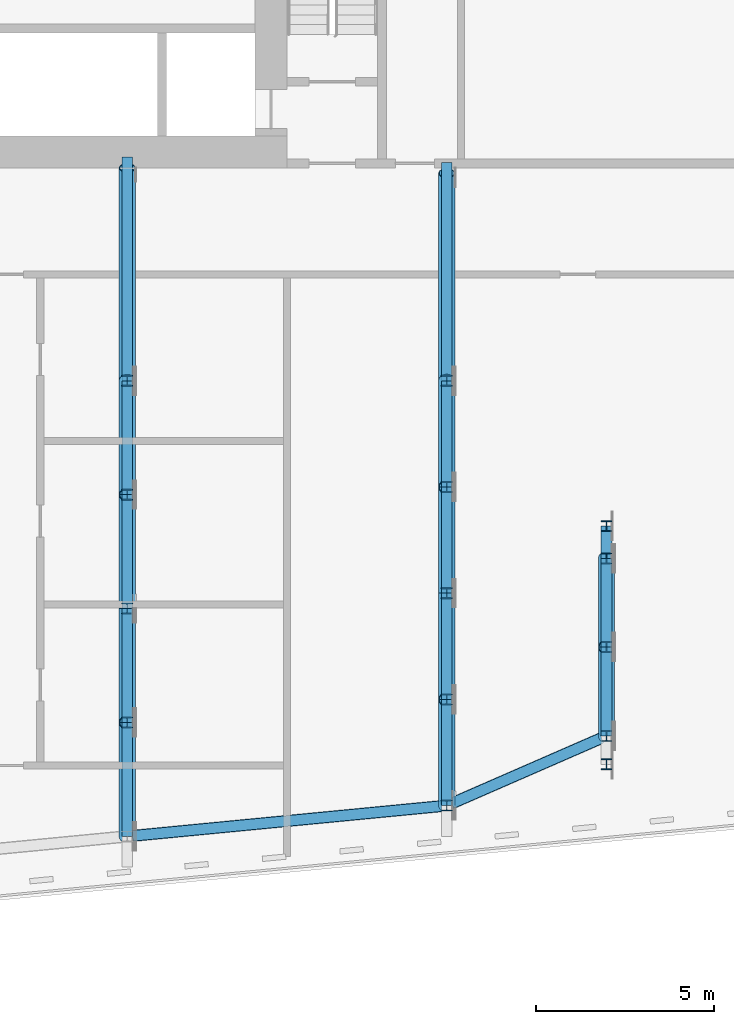
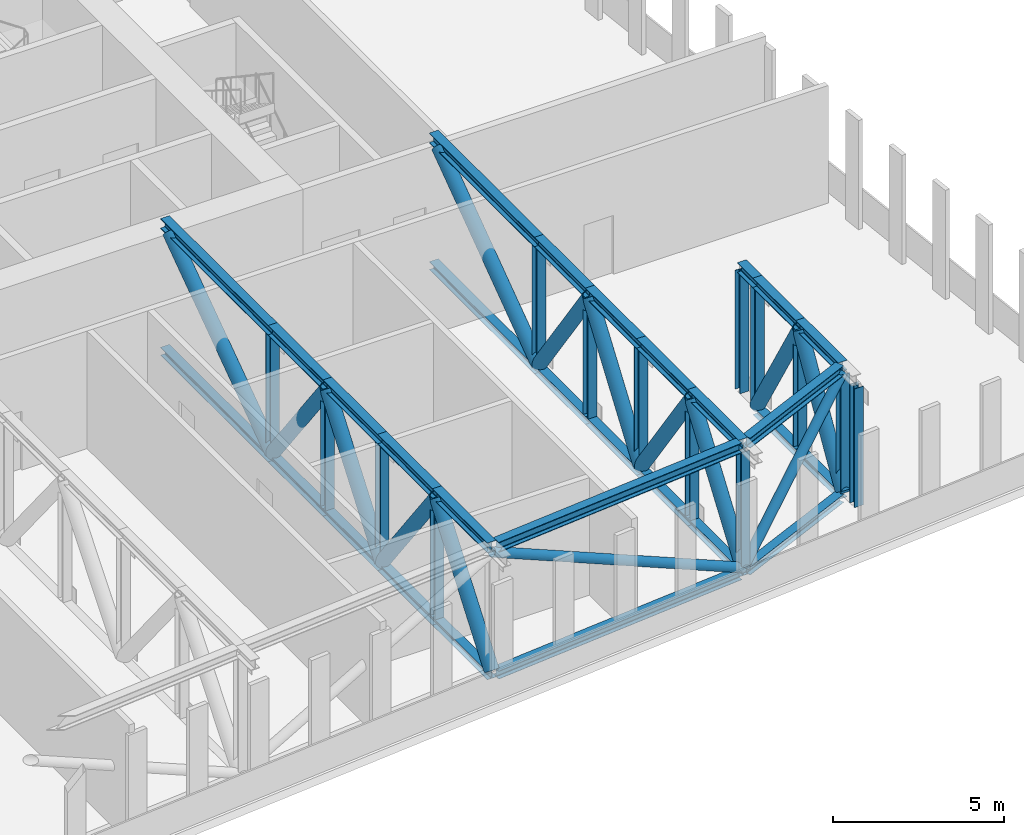
# One storey, part 6 of 22: 57 members.
"""IFC4 building model written with IfcOpenShell, lengths in metres."""

import ifcopenshell
import ifcopenshell.guid

model = None  # the IFC model being written
_history = None  # IfcOwnerHistory: only IFC2X3 demands one
_inside = {}  # id of a spatial element -> (the spatial element, [elements in it])
_under = {}  # id of a project, library or spatial element -> (it, [spatial elements below it])
_declared = {}  # id of a project -> (the project, [libraries it declares])
_typed = {}  # id of a type object -> (the type object, [elements of that type])
_made_of = {}  # id of a material, layer set ... -> (it, [elements and type objects made of it])


def new_model(schema):
    """Start an empty IFC model of exactly this schema.

    Asked for "IFC4X3", IfcOpenShell would pick the latest addendum, in which some entities
    have other attributes; the version numbers below select the first issue.
    IFC2X3 requires an IfcOwnerHistory on every rooted entity: one is made here for all.
    """
    global model, _history
    if schema == "IFC4X3":
        model = ifcopenshell.file(schema_version=(4, 3, 0, 0))
    else:
        model = ifcopenshell.file(schema=schema)
    _inside.clear()
    _under.clear()
    _declared.clear()
    _typed.clear()
    _made_of.clear()
    _history = None
    if model.schema == "IFC2X3":
        org = make("IfcOrganization", Name="unknown")
        user = make(
            "IfcPersonAndOrganization",
            ThePerson=make("IfcPerson", FamilyName="unknown"),
            TheOrganization=org,
        )
        app = make(
            "IfcApplication",
            ApplicationDeveloper=org,
            Version="unknown",
            ApplicationFullName="unknown",
            ApplicationIdentifier="unknown",
        )
        _history = make(
            "IfcOwnerHistory",
            OwningUser=user,
            OwningApplication=app,
            ChangeAction="ADDED",
            CreationDate=0,
        )
    return model


def make(cls, **values):
    """One entity of the class cls with the attributes given. An attribute that is None is left unset."""
    return model.create_entity(
        cls, **{name: value for name, value in values.items() if value is not None}
    )


def rooted(cls, **values):
    """An entity with a GlobalId (a new one), such as an element, a storey or a relation."""
    return make(cls, GlobalId=ifcopenshell.guid.new(), OwnerHistory=_history, **values)


def si_unit(unit_type, name, prefix=None):
    """IfcSIUnit, for example si_unit("LENGTHUNIT", "METRE", prefix="MILLI")."""
    return make("IfcSIUnit", UnitType=unit_type, Prefix=prefix, Name=name)


def assignment(units):
    """IfcUnitAssignment: the units of a project."""
    return None if units is None else make("IfcUnitAssignment", Units=units)


def point(xyz):
    """IfcCartesianPoint."""
    return None if xyz is None else make("IfcCartesianPoint", Coordinates=xyz)


def direction(xyz):
    """IfcDirection."""
    return None if xyz is None else make("IfcDirection", DirectionRatios=xyz)


def frame(location, z_axis=None, x_axis=None):
    """IfcAxis2Placement3D, a coordinate frame: its origin and axes. An axis left out is left unset."""
    return make(
        "IfcAxis2Placement3D",
        Location=point(location),
        Axis=direction(z_axis),
        RefDirection=direction(x_axis),
    )


def frame_2d(location, x_axis=None):
    """IfcAxis2Placement2D, a coordinate frame in the plane: its origin and x axis."""
    return make(
        "IfcAxis2Placement2D", Location=point(location), RefDirection=direction(x_axis)
    )


def origin():
    """The frame at (0, 0, 0) with its axes left unset."""
    return frame((0.0, 0.0, 0.0))


def origin_2d():
    """The frame at (0, 0) in the plane with its x axis left unset."""
    return frame_2d((0.0, 0.0))


def place(relative_to, where):
    """IfcLocalPlacement: puts the frame where relative to a parent placement (None: the world)."""
    return make(
        "IfcLocalPlacement", PlacementRelTo=relative_to, RelativePlacement=where
    )


def context(
    kind, dimensions, precision=None, world=None, true_north=None, identifier=None
):
    """IfcGeometricRepresentationContext, for example the 3D "Model" context."""
    return make(
        "IfcGeometricRepresentationContext",
        ContextIdentifier=identifier,
        ContextType=kind,
        CoordinateSpaceDimension=dimensions,
        Precision=precision,
        WorldCoordinateSystem=world,
        TrueNorth=true_north,
    )


def subcontext(parent, identifier, kind, view, scale=None):
    """IfcGeometricRepresentationSubContext, for example "Body" below "Model"."""
    return make(
        "IfcGeometricRepresentationSubContext",
        ContextIdentifier=identifier,
        ContextType=kind,
        ParentContext=parent,
        TargetScale=scale,
        TargetView=view,
    )


def project(units=None, contexts=None):
    """IfcProject with its units and contexts."""
    return rooted(
        "IfcProject",
        Name="project",
        RepresentationContexts=contexts,
        UnitsInContext=assignment(units),
    )


def spatial(cls, under=None, at=None, **own):
    """A site, building, storey or space (cls), placed at a placement, below another one or the project."""
    s = rooted(cls, ObjectPlacement=at, **own)
    if under is not None:
        _under.setdefault(under.id(), (under, []))[1].append(s)
    return s


def profile(cls, at=None, kind="AREA", **sizes):
    """A parametric profile (cls). Its sizes go by their IFC names, for example OverallWidth=200.0."""
    return make(cls, ProfileType=kind, Position=at, **sizes)


def hollow_circle(**sizes):
    """IfcCircleHollowProfileDef."""
    return profile("IfcCircleHollowProfileDef", **sizes)


def i_section(**sizes):
    """IfcIShapeProfileDef."""
    return profile("IfcIShapeProfileDef", **sizes)


def extrude(swept, where, along, depth):
    """IfcExtrudedAreaSolid: the profile swept, set in the frame where, extruded along a direction by depth."""
    return make(
        "IfcExtrudedAreaSolid",
        SweptArea=swept,
        Position=where,
        ExtrudedDirection=direction(along),
        Depth=depth,
    )


def shape(context_of_items, identifier, shape_type, items):
    """IfcShapeRepresentation: the items that make up one representation, for example the "Body"."""
    return make(
        "IfcShapeRepresentation",
        ContextOfItems=context_of_items,
        RepresentationIdentifier=identifier,
        RepresentationType=shape_type,
        Items=items,
    )


def material(Name=None, Category=None):
    """IfcMaterial."""
    return make("IfcMaterial", Name=Name, Category=Category)


def material_profile(
    of_material, cross_section, Name=None, Category=None, Priority=None
):
    """IfcMaterialProfile: a cross section and its material."""
    return make(
        "IfcMaterialProfile",
        Name=Name,
        Material=of_material,
        Profile=cross_section,
        Priority=Priority,
        Category=Category,
    )


def profile_set(profiles, Name=None, composite=None):
    """IfcMaterialProfileSet."""
    return make(
        "IfcMaterialProfileSet",
        Name=Name,
        MaterialProfiles=profiles,
        CompositeProfile=composite,
    )


def made_of(thing, what):
    """Note that an element or type object is made of a material, layer set ...; save() writes the relation."""
    if what is not None:
        _made_of.setdefault(what.id(), (what, []))[1].append(thing)
    return thing


def type_object(cls, material=None, **own):
    """A type object (cls), such as IfcWallType, which elements share."""
    return made_of(rooted(cls, **own), material)


def element(
    cls,
    number,
    at=None,
    inside=None,
    cuts=None,
    type_object=None,
    material=None,
    context=None,
    identifier="Body",
    shape_type=None,
    held_by="IfcProductDefinitionShape",
    body=None,
    shapes=None,
    **own,
):
    """One element of the class cls, such as IfcWall. Its Tag is "e" and its number.

    at: its placement. inside: the storey or other place that contains it. cuts: it is an
    opening in that element (IfcRelVoidsElement). A single representation is given by context,
    identifier, shape_type and body (its items); several are given by shapes. held_by: the class
    of the entity that holds the representations. save() writes the other relations.
    """
    e = rooted(cls, Tag="e%d" % number, ObjectPlacement=at, **own)
    if body is not None:
        shapes = [shape(context, identifier, shape_type, body)]
    if shapes is not None:
        e.Representation = make(held_by, Representations=shapes)
    if inside is not None:
        _inside.setdefault(inside.id(), (inside, []))[1].append(e)
    if cuts is not None:
        rooted(
            "IfcRelVoidsElement", RelatingBuildingElement=cuts, RelatedOpeningElement=e
        )
    if type_object is not None:
        _typed.setdefault(type_object.id(), (type_object, []))[1].append(e)
    return made_of(e, material)


def aggregate(whole, parts):
    """IfcRelAggregates: a whole, such as a stair, and the parts it consists of."""
    return rooted("IfcRelAggregates", RelatingObject=whole, RelatedObjects=parts)


def save(model, path):
    """Write the relations noted so far, then the file.

    IfcRelAggregates (storeys below a building ...), IfcRelContainedInSpatialStructure (elements
    in a storey), IfcRelDefinesByType, IfcRelAssociatesMaterial and IfcRelDeclares: one each for
    every whole, place, type object, material and project.
    """
    for whole, parts in _under.values():
        aggregate(whole, parts)
    for where, things in _inside.values():
        rooted(
            "IfcRelContainedInSpatialStructure",
            RelatedElements=things,
            RelatingStructure=where,
        )
    for kind, things in _typed.values():
        rooted("IfcRelDefinesByType", RelatedObjects=things, RelatingType=kind)
    for what, things in _made_of.values():
        rooted("IfcRelAssociatesMaterial", RelatedObjects=things, RelatingMaterial=what)
    for by, libraries in _declared.values():
        rooted("IfcRelDeclares", RelatingContext=by, RelatedDefinitions=libraries)
    model.write(path)


model = new_model("IFC4")

# Units and contexts
model_context = context("Model", 3, precision=1e-05, world=origin(), true_north=direction((0.0, 1.0)))
body_context = subcontext(model_context, "Body", "Model", "MODEL_VIEW")
ifc_project = project(units=[si_unit("LENGTHUNIT", "METRE"), si_unit("AREAUNIT", "SQUARE_METRE"), si_unit("VOLUMEUNIT", "CUBIC_METRE"), si_unit("PLANEANGLEUNIT", "RADIAN"), si_unit("MASSUNIT", "GRAM", prefix="KILO")], contexts=[model_context])

# Site, building, storey
site_placement = place(None, origin())
site = spatial("IfcSite", under=ifc_project, at=site_placement, CompositionType="ELEMENT")
building_placement = place(site_placement, origin())
building = spatial("IfcBuilding", under=site, at=building_placement, Name="Kajstack Hotel Tower", CompositionType="ELEMENT")
storey_placement = place(building_placement, frame((0.0, 0.0, 150.39990234375)))
storey = spatial("IfcBuildingStorey", under=building, at=storey_placement, Name="L35", CompositionType="ELEMENT", Elevation=150.39990234375)

# Members
ifc_material = material(Name="Steel S355J2", Category="steel")
ifc_material_profile_1 = material_profile(ifc_material, i_section(OverallWidth=0.300048828125, OverallDepth=0.2900390625, WebThickness=0.008544921875, FlangeThickness=0.013916015625, FilletRadius=0.027099609375, at=origin_2d()), Name="HEA 300")
ifc_profile_set_1 = profile_set([ifc_material_profile_1], Name="Steel S355J2")
member_type_1 = type_object("IfcMemberType", Name="Belt truss bottom chord BB3 HEA 300", PredefinedType="CHORD", material=ifc_profile_set_1)
member_1_placement = place(storey_placement, frame((27.1494140625, -17.318359375, -0.14501953125), z_axis=(0.995395510024, 0.095852900965, 0.0), x_axis=(-0.095852900965, 0.995395510024, 0.0)))
element("IfcMember", 1, at=member_1_placement, inside=storey, type_object=member_type_1, Name="S-belt-truss-L35-s08-b", PredefinedType="CHORD", context=body_context, shape_type="SweptSolid", body=[
    extrude(i_section(OverallWidth=0.300048828125, OverallDepth=0.2900390625, WebThickness=0.008544921875, FlangeThickness=0.013916015625, FilletRadius=0.027099609375, at=origin_2d()), origin(), (0.0, 0.0, 1.0), 8.741455078125),
])
member_2_placement = place(storey_placement, frame((36.137451171875, -16.406005859375, -0.14501953125), z_axis=(0.916553144014, 0.399912908266, 0.0), x_axis=(-0.399912908266, 0.916553144014, 0.0)))
element("IfcMember", 2, at=member_2_placement, inside=storey, type_object=member_type_1, Name="S-belt-truss-L35-s09-b", PredefinedType="CHORD", context=body_context, shape_type="SweptSolid", body=[
    extrude(i_section(OverallWidth=0.300048828125, OverallDepth=0.2900390625, WebThickness=0.008544921875, FlangeThickness=0.013916015625, FilletRadius=0.027099609375, at=origin_2d()), origin(), (0.0, 0.0, 1.0), 4.60986328125),
])
ifc_material_profile_2 = material_profile(ifc_material, i_section(OverallWidth=0.300048828125, OverallDepth=0.2900390625, WebThickness=0.008544921875, FlangeThickness=0.013916015625, FilletRadius=0.027099609375, at=origin_2d()), Name="HEA 300")
ifc_profile_set_2 = profile_set([ifc_material_profile_2], Name="Steel S355J2")
member_type_2 = type_object("IfcMemberType", Name="Belt truss bottom chord BC3 HEA 300", PredefinedType="CHORD", material=ifc_profile_set_2)
for number, where, z_axis, x_axis, name in (
    (3, (27.0, -17.332763671875, -0.14501953125), (0.0, 1.0, 0.0), (-1.0, 0.0, 0.0), "S-outrigger-truss-L35-+27p0-1-bc7"),
    (4, (27.0, -14.12451171875, -0.14501953125), (0.0, 1.0, 0.0), (-1.0, 0.0, 0.0), "S-outrigger-truss-L35-+27p0-1-bc8"),
):
    element("IfcMember", number, at=place(storey_placement, frame(where, z_axis=z_axis, x_axis=x_axis)), inside=storey, type_object=member_type_2, Name=name, PredefinedType="CHORD", context=body_context, shape_type="SweptSolid", body=[
        extrude(i_section(OverallWidth=0.300048828125, OverallDepth=0.2900390625, WebThickness=0.008544921875, FlangeThickness=0.013916015625, FilletRadius=0.027099609375, at=origin_2d()), origin(), (0.0, 0.0, 1.0), 3.208251953125),
    ])
member_3_placement = place(storey_placement, frame((27.0, -10.916259765625, -0.14501953125), z_axis=(0.0, 1.0, 0.0), x_axis=(-1.0, 0.0, 0.0)))
element("IfcMember", 5, at=member_3_placement, inside=storey, type_object=member_type_2, Name="S-outrigger-truss-L35-+27p0-1-bc9", PredefinedType="CHORD", context=body_context, shape_type="SweptSolid", body=[
    extrude(i_section(OverallWidth=0.300048828125, OverallDepth=0.2900390625, WebThickness=0.008544921875, FlangeThickness=0.013916015625, FilletRadius=0.027099609375, at=origin_2d()), origin(), (0.0, 0.0, 1.0), 3.2080078125),
])
member_4_placement = place(storey_placement, frame((27.0, -7.708251953125, -0.14501953125), z_axis=(0.0, 1.0, 0.0), x_axis=(-1.0, 0.0, 0.0)))
element("IfcMember", 6, at=member_4_placement, inside=storey, type_object=member_type_2, Name="S-outrigger-truss-L35-+27p0-1-bc10", PredefinedType="CHORD", context=body_context, shape_type="SweptSolid", body=[
    extrude(i_section(OverallWidth=0.300048828125, OverallDepth=0.2900390625, WebThickness=0.008544921875, FlangeThickness=0.013916015625, FilletRadius=0.027099609375, at=origin_2d()), origin(), (0.0, 0.0, 1.0), 3.208251953125),
])
member_5_placement = place(storey_placement, frame((27.0, -4.5, -0.14501953125), z_axis=(0.0, 1.0, 0.0), x_axis=(-1.0, 0.0, 0.0)))
element("IfcMember", 7, at=member_5_placement, inside=storey, type_object=member_type_2, Name="S-outrigger-truss-L35-+27p0-1-bc11", PredefinedType="CHORD", context=body_context, shape_type="SweptSolid", body=[
    extrude(i_section(OverallWidth=0.300048828125, OverallDepth=0.2900390625, WebThickness=0.008544921875, FlangeThickness=0.013916015625, FilletRadius=0.027099609375, at=origin_2d()), origin(), (0.0, 0.0, 1.0), 6.300048828125),
])
for number, where, z_axis, x_axis, name in (
    (8, (36.0, -16.466064453125, -0.14501953125), (0.0, 1.0, 0.0), (-1.0, 0.0, 0.0), "S-belt-truss-L35-+36p0-1-bc7"),
    (9, (36.0, -13.474609375, -0.14501953125), (0.0, 1.0, 0.0), (-1.0, 0.0, 0.0), "S-belt-truss-L35-+36p0-1-bc8"),
):
    element("IfcMember", number, at=place(storey_placement, frame(where, z_axis=z_axis, x_axis=x_axis)), inside=storey, type_object=member_type_2, Name=name, PredefinedType="CHORD", context=body_context, shape_type="SweptSolid", body=[
        extrude(i_section(OverallWidth=0.300048828125, OverallDepth=0.2900390625, WebThickness=0.008544921875, FlangeThickness=0.013916015625, FilletRadius=0.027099609375, at=origin_2d()), origin(), (0.0, 0.0, 1.0), 2.991455078125),
    ])
member_6_placement = place(storey_placement, frame((36.0, -10.483154296875, -0.14501953125), z_axis=(0.0, 1.0, 0.0), x_axis=(-1.0, 0.0, 0.0)))
element("IfcMember", 10, at=member_6_placement, inside=storey, type_object=member_type_2, Name="S-belt-truss-L35-+36p0-1-bc9", PredefinedType="CHORD", context=body_context, shape_type="SweptSolid", body=[
    extrude(i_section(OverallWidth=0.300048828125, OverallDepth=0.2900390625, WebThickness=0.008544921875, FlangeThickness=0.013916015625, FilletRadius=0.027099609375, at=origin_2d()), origin(), (0.0, 0.0, 1.0), 2.99169921875),
])
member_7_placement = place(storey_placement, frame((36.0, -7.491455078125, -0.14501953125), z_axis=(0.0, 1.0, 0.0), x_axis=(-1.0, 0.0, 0.0)))
element("IfcMember", 11, at=member_7_placement, inside=storey, type_object=member_type_2, Name="S-belt-truss-L35-+36p0-1-bc10", PredefinedType="CHORD", context=body_context, shape_type="SweptSolid", body=[
    extrude(i_section(OverallWidth=0.300048828125, OverallDepth=0.2900390625, WebThickness=0.008544921875, FlangeThickness=0.013916015625, FilletRadius=0.027099609375, at=origin_2d()), origin(), (0.0, 0.0, 1.0), 2.991455078125),
])
member_8_placement = place(storey_placement, frame((36.0, -4.5, -0.14501953125), z_axis=(0.0, 1.0, 0.0), x_axis=(-1.0, 0.0, 0.0)))
element("IfcMember", 12, at=member_8_placement, inside=storey, type_object=member_type_2, Name="S-belt-truss-L35-+36p0-1-bc11", PredefinedType="CHORD", context=body_context, shape_type="SweptSolid", body=[
    extrude(i_section(OverallWidth=0.300048828125, OverallDepth=0.2900390625, WebThickness=0.008544921875, FlangeThickness=0.013916015625, FilletRadius=0.027099609375, at=origin_2d()), origin(), (0.0, 0.0, 1.0), 6.14990234375),
])
for number, where, z_axis, x_axis, name in (
    (13, (40.5, -14.502685546875, -0.14501953125), (0.0, 1.0, 0.0), (-1.0, 0.0, 0.0), "S-belt-truss-L35-+40p5-1-bc6"),
    (14, (40.5, -12.001953125, -0.14501953125), (0.0, 1.0, 0.0), (-1.0, 0.0, 0.0), "S-belt-truss-L35-+40p5-1-bc7"),
):
    element("IfcMember", number, at=place(storey_placement, frame(where, z_axis=z_axis, x_axis=x_axis)), inside=storey, type_object=member_type_2, Name=name, PredefinedType="CHORD", context=body_context, shape_type="SweptSolid", body=[
        extrude(i_section(OverallWidth=0.300048828125, OverallDepth=0.2900390625, WebThickness=0.008544921875, FlangeThickness=0.013916015625, FilletRadius=0.027099609375, at=origin_2d()), origin(), (0.0, 0.0, 1.0), 2.500732421875),
    ])
ifc_material_profile_3 = material_profile(ifc_material, hollow_circle(Radius=0.161865234375, WallThickness=0.012451171875, at=origin_2d()), Name="CHS 323.9x12.5")
ifc_profile_set_3 = profile_set([ifc_material_profile_3], Name="Steel S355J2")
member_type_3 = type_object("IfcMemberType", Name="Belt truss diagonal BD3 CHS 323.9x12.5", PredefinedType="BRACE", material=ifc_profile_set_3)
member_9_placement = place(storey_placement, frame((36.0, -16.466064453125, 0.0), z_axis=(-0.90122340878, -0.086787736034, 0.42457538358), x_axis=(0.095856468129, -0.995395166513, 0.0)))
element("IfcMember", 15, at=member_9_placement, inside=storey, type_object=member_type_3, Name="S-belt-truss-L35-s08-d", PredefinedType="BRACE", context=body_context, shape_type="SweptSolid", body=[
    extrude(hollow_circle(Radius=0.161865234375, WallThickness=0.012451171875, at=origin_2d()), origin(), (0.0, 0.0, 1.0), 9.986328125),
])
member_10_placement = place(storey_placement, frame((36.0, -16.466064453125, 0.0), z_axis=(0.693685151343, 0.302659287494, 0.653604059427), x_axis=(-0.399900404598, 0.916558599546, 0.0)))
element("IfcMember", 16, at=member_10_placement, inside=storey, type_object=member_type_3, Name="S-belt-truss-L35-s09-d", PredefinedType="BRACE", context=body_context, shape_type="SweptSolid", body=[
    extrude(hollow_circle(Radius=0.161865234375, WallThickness=0.012451171875, at=origin_2d()), origin(), (0.0, 0.0, 1.0), 6.487060546875),
])
ifc_material_profile_4 = material_profile(ifc_material, hollow_circle(Radius=0.228515625, WallThickness=0.02001953125, at=origin_2d()), Name="CHS 457x20")
ifc_profile_set_4 = profile_set([ifc_material_profile_4], Name="Steel S355J2")
member_type_4 = type_object("IfcMemberType", Name="Belt truss diagonal DG3 CHS 457x20", PredefinedType="BRACE", material=ifc_profile_set_4)
for number, where, z_axis, x_axis, name in (
    (17, (27.0, -17.332763671875, 0.0), (0.0, 0.603396112285, 0.797441616471), (-1.0, 0.0, 0.0), "S-outrigger-truss-L35-+27p0-1-dg17"),
    (18, (27.0, -10.916259765625, 0.0), (0.0, -0.603396112285, 0.797441616471), (1.0, 0.0, 0.0), "S-outrigger-truss-L35-+27p0-1-dg18"),
    (19, (27.0, -10.916259765625, 0.0), (0.0, 0.603366911808, 0.797463710607), (-1.0, 0.0, 0.0), "S-outrigger-truss-L35-+27p0-1-dg19"),
    (20, (27.0, -4.5, 0.0), (0.0, -0.603396112285, 0.797441616471), (1.0, 0.0, 0.0), "S-outrigger-truss-L35-+27p0-1-dg20"),
):
    element("IfcMember", number, at=place(storey_placement, frame(where, z_axis=z_axis, x_axis=x_axis)), inside=storey, type_object=member_type_4, Name=name, PredefinedType="BRACE", context=body_context, shape_type="SweptSolid", body=[
        extrude(hollow_circle(Radius=0.228515625, WallThickness=0.02001953125, at=origin_2d()), origin(), (0.0, 0.0, 1.0), 5.31689453125),
    ])
member_11_placement = place(storey_placement, frame((27.0, -4.5, 0.0), z_axis=(0.0, 0.816666607536, 0.577109740115), x_axis=(-1.0, 0.0, 0.0)))
element("IfcMember", 21, at=member_11_placement, inside=storey, type_object=member_type_4, Name="S-outrigger-truss-L35-+27p0-1-dg21", PredefinedType="BRACE", context=body_context, shape_type="SweptSolid", body=[
    extrude(hollow_circle(Radius=0.228515625, WallThickness=0.02001953125, at=origin_2d()), origin(), (0.0, 0.0, 1.0), 7.346923828125),
])
for number, where, z_axis, x_axis, name in (
    (22, (36.0, -16.466064453125, 0.0), (0.0, 0.576492920951, 0.817102142999), (-1.0, 0.0, 0.0), "S-belt-truss-L35-+36p0-1-dg17"),
    (23, (36.0, -10.483154296875, 0.0), (0.0, -0.576492920951, 0.817102142999), (1.0, 0.0, 0.0), "S-belt-truss-L35-+36p0-1-dg18"),
):
    element("IfcMember", number, at=place(storey_placement, frame(where, z_axis=z_axis, x_axis=x_axis)), inside=storey, type_object=member_type_4, Name=name, PredefinedType="BRACE", context=body_context, shape_type="SweptSolid", body=[
        extrude(hollow_circle(Radius=0.228515625, WallThickness=0.02001953125, at=origin_2d()), origin(), (0.0, 0.0, 1.0), 5.18896484375),
    ])
member_12_placement = place(storey_placement, frame((36.0, -10.483154296875, 0.0), z_axis=(0.0, 0.576524332299, 0.817079980337), x_axis=(-1.0, 0.0, 0.0)))
element("IfcMember", 24, at=member_12_placement, inside=storey, type_object=member_type_4, Name="S-belt-truss-L35-+36p0-1-dg19", PredefinedType="BRACE", context=body_context, shape_type="SweptSolid", body=[
    extrude(hollow_circle(Radius=0.228515625, WallThickness=0.02001953125, at=origin_2d()), origin(), (0.0, 0.0, 1.0), 5.189208984375),
])
member_13_placement = place(storey_placement, frame((36.0, -4.5, 0.0), z_axis=(0.0, -0.576492920951, 0.817102142999), x_axis=(1.0, 0.0, 0.0)))
element("IfcMember", 25, at=member_13_placement, inside=storey, type_object=member_type_4, Name="S-belt-truss-L35-+36p0-1-dg20", PredefinedType="BRACE", context=body_context, shape_type="SweptSolid", body=[
    extrude(hollow_circle(Radius=0.228515625, WallThickness=0.02001953125, at=origin_2d()), origin(), (0.0, 0.0, 1.0), 5.18896484375),
])
member_14_placement = place(storey_placement, frame((36.0, -4.5, 0.0), z_axis=(0.0, 0.80969795024, 0.586846853427), x_axis=(-1.0, 0.0, 0.0)))
element("IfcMember", 26, at=member_14_placement, inside=storey, type_object=member_type_4, Name="S-belt-truss-L35-+36p0-1-dg21", PredefinedType="BRACE", context=body_context, shape_type="SweptSolid", body=[
    extrude(hollow_circle(Radius=0.228515625, WallThickness=0.02001953125, at=origin_2d()), origin(), (0.0, 0.0, 1.0), 7.22509765625),
])
for number, where, z_axis, x_axis, name in (
    (27, (40.5, -14.502685546875, 0.0), (0.0, 0.50801898724, 0.861345870486), (-1.0, 0.0, 0.0), "S-belt-truss-L35-+40p5-1-dg14"),
    (28, (40.5, -9.501220703125, 0.0), (0.0, -0.50801898724, 0.861345870486), (1.0, 0.0, 0.0), "S-belt-truss-L35-+40p5-1-dg15"),
):
    element("IfcMember", number, at=place(storey_placement, frame(where, z_axis=z_axis, x_axis=x_axis)), inside=storey, type_object=member_type_4, Name=name, PredefinedType="BRACE", context=body_context, shape_type="SweptSolid", body=[
        extrude(hollow_circle(Radius=0.228515625, WallThickness=0.02001953125, at=origin_2d()), origin(), (0.0, 0.0, 1.0), 4.922607421875),
    ])
ifc_material_profile_5 = material_profile(ifc_material, i_section(OverallWidth=0.300048828125, OverallDepth=0.300048828125, WebThickness=0.010986328125, FlangeThickness=0.01904296875, FilletRadius=0.027099609375, at=origin_2d()), Name="HEB 300")
ifc_profile_set_5 = profile_set([ifc_material_profile_5], Name="Steel S355J2")
member_type_5 = type_object("IfcMemberType", Name="Belt truss post PO3 HEB 300", PredefinedType="POST", material=ifc_profile_set_5)
for number, where, z_axis, x_axis, name in (
    (29, (27.0, -14.12451171875, 0.0), (0.0, 0.0, 1.0), (1.0, 0.0, 0.0), "S-outrigger-truss-L35-+27p0-1-po13"),
    (30, (27.0, -10.916259765625, 0.0), (0.0, 0.0, 1.0), (1.0, 0.0, 0.0), "S-outrigger-truss-L35-+27p0-1-po14"),
    (31, (27.0, -7.708251953125, 0.0), (0.0, 0.0, 1.0), (1.0, 0.0, 0.0), "S-outrigger-truss-L35-+27p0-1-po15"),
    (32, (27.0, -4.5, 0.0), (0.0, 0.0, 1.0), (1.0, 0.0, 0.0), "S-outrigger-truss-L35-+27p0-1-po16"),
    (33, (36.0, -16.466064453125, 0.0), (0.0, 0.0, 1.0), (1.0, 0.0, 0.0), "S-belt-truss-L35-+36p0-1-po12"),
    (34, (36.0, -13.474609375, 0.0), (0.0, 0.0, 1.0), (1.0, 0.0, 0.0), "S-belt-truss-L35-+36p0-1-po13"),
    (35, (36.0, -10.483154296875, 0.0), (0.0, 0.0, 1.0), (1.0, 0.0, 0.0), "S-belt-truss-L35-+36p0-1-po14"),
    (36, (36.0, -7.491455078125, 0.0), (0.0, 0.0, 1.0), (1.0, 0.0, 0.0), "S-belt-truss-L35-+36p0-1-po15"),
    (37, (36.0, -4.5, 0.0), (0.0, 0.0, 1.0), (1.0, 0.0, 0.0), "S-belt-truss-L35-+36p0-1-po16"),
    (38, (40.5, -15.302490234375, 0.0), (0.0, 0.0, 1.0), (1.0, 0.0, 0.0), "S-belt-truss-L35-+40p5-1-po9"),
    (39, (40.5, -14.502685546875, 0.0), (0.0, 0.0, 1.0), (1.0, 0.0, 0.0), "S-belt-truss-L35-+40p5-1-po10"),
    (40, (40.5, -12.001953125, 0.0), (0.0, 0.0, 1.0), (1.0, 0.0, 0.0), "S-belt-truss-L35-+40p5-1-po11"),
    (41, (40.5, -9.501220703125, 0.0), (0.0, 0.0, 1.0), (1.0, 0.0, 0.0), "S-belt-truss-L35-+40p5-1-po12"),
    (42, (40.5, -8.594482421875, 0.0), (0.0, 0.0, 1.0), (1.0, 0.0, 0.0), "S-belt-truss-L35-+40p5-1-po13"),
):
    element("IfcMember", number, at=place(storey_placement, frame(where, z_axis=z_axis, x_axis=x_axis)), inside=storey, type_object=member_type_5, Name=name, PredefinedType="POST", context=body_context, shape_type="SweptSolid", body=[
        extrude(i_section(OverallWidth=0.300048828125, OverallDepth=0.300048828125, WebThickness=0.010986328125, FlangeThickness=0.01904296875, FilletRadius=0.027099609375, at=origin_2d()), origin(), (0.0, 0.0, 1.0), 4.239990234375),
    ])
ifc_material_profile_6 = material_profile(ifc_material, i_section(OverallWidth=0.300048828125, OverallDepth=0.360107421875, WebThickness=0.012451171875, FlangeThickness=0.0224609375, FilletRadius=0.027099609375, at=origin_2d()), Name="HEB 360")
ifc_profile_set_6 = profile_set([ifc_material_profile_6], Name="Steel S355J2")
member_type_6 = type_object("IfcMemberType", Name="Belt truss top chord BT3 HEB 360", PredefinedType="CHORD", material=ifc_profile_set_6)
member_15_placement = place(storey_placement, frame((27.1494140625, -17.318359375, 4.420166015625), z_axis=(0.995395510024, 0.095852900965, 0.0), x_axis=(-0.095852900965, 0.995395510024, 0.0)))
element("IfcMember", 43, at=member_15_placement, inside=storey, type_object=member_type_6, Name="S-belt-truss-L35-s08-t", PredefinedType="CHORD", context=body_context, shape_type="SweptSolid", body=[
    extrude(i_section(OverallWidth=0.300048828125, OverallDepth=0.360107421875, WebThickness=0.012451171875, FlangeThickness=0.0224609375, FilletRadius=0.027099609375, at=origin_2d()), origin(), (0.0, 0.0, 1.0), 8.741455078125),
])
member_16_placement = place(storey_placement, frame((36.137451171875, -16.406005859375, 4.420166015625), z_axis=(0.916553144014, 0.399912908266, 0.0), x_axis=(-0.399912908266, 0.916553144014, 0.0)))
element("IfcMember", 44, at=member_16_placement, inside=storey, type_object=member_type_6, Name="S-belt-truss-L35-s09-t", PredefinedType="CHORD", context=body_context, shape_type="SweptSolid", body=[
    extrude(i_section(OverallWidth=0.300048828125, OverallDepth=0.360107421875, WebThickness=0.012451171875, FlangeThickness=0.0224609375, FilletRadius=0.027099609375, at=origin_2d()), origin(), (0.0, 0.0, 1.0), 4.60986328125),
])
ifc_material_profile_7 = material_profile(ifc_material, i_section(OverallWidth=0.300048828125, OverallDepth=0.360107421875, WebThickness=0.012451171875, FlangeThickness=0.0224609375, FilletRadius=0.027099609375, at=origin_2d()), Name="HEB 360")
ifc_profile_set_7 = profile_set([ifc_material_profile_7], Name="Steel S355J2")
member_type_7 = type_object("IfcMemberType", Name="Belt truss top chord TC3 HEB 360", PredefinedType="CHORD", material=ifc_profile_set_7)
for number, where, z_axis, x_axis, name in (
    (45, (27.0, -17.332763671875, 4.420166015625), (0.0, 1.0, 0.0), (-1.0, 0.0, 0.0), "S-outrigger-truss-L35-+27p0-1-tc2"),
    (46, (27.0, -14.12451171875, 4.420166015625), (0.0, 1.0, 0.0), (-1.0, 0.0, 0.0), "S-outrigger-truss-L35-+27p0-1-tc3"),
):
    element("IfcMember", number, at=place(storey_placement, frame(where, z_axis=z_axis, x_axis=x_axis)), inside=storey, type_object=member_type_7, Name=name, PredefinedType="CHORD", context=body_context, shape_type="SweptSolid", body=[
        extrude(i_section(OverallWidth=0.300048828125, OverallDepth=0.360107421875, WebThickness=0.012451171875, FlangeThickness=0.0224609375, FilletRadius=0.027099609375, at=origin_2d()), origin(), (0.0, 0.0, 1.0), 3.208251953125),
    ])
member_17_placement = place(storey_placement, frame((27.0, -10.916259765625, 4.420166015625), z_axis=(0.0, 1.0, 0.0), x_axis=(-1.0, 0.0, 0.0)))
element("IfcMember", 47, at=member_17_placement, inside=storey, type_object=member_type_7, Name="S-outrigger-truss-L35-+27p0-1-tc4", PredefinedType="CHORD", context=body_context, shape_type="SweptSolid", body=[
    extrude(i_section(OverallWidth=0.300048828125, OverallDepth=0.360107421875, WebThickness=0.012451171875, FlangeThickness=0.0224609375, FilletRadius=0.027099609375, at=origin_2d()), origin(), (0.0, 0.0, 1.0), 3.2080078125),
])
member_18_placement = place(storey_placement, frame((27.0, -7.708251953125, 4.420166015625), z_axis=(0.0, 1.0, 0.0), x_axis=(-1.0, 0.0, 0.0)))
element("IfcMember", 48, at=member_18_placement, inside=storey, type_object=member_type_7, Name="S-outrigger-truss-L35-+27p0-1-tc5", PredefinedType="CHORD", context=body_context, shape_type="SweptSolid", body=[
    extrude(i_section(OverallWidth=0.300048828125, OverallDepth=0.360107421875, WebThickness=0.012451171875, FlangeThickness=0.0224609375, FilletRadius=0.027099609375, at=origin_2d()), origin(), (0.0, 0.0, 1.0), 3.208251953125),
])
member_19_placement = place(storey_placement, frame((27.0, -4.5, 4.420166015625), z_axis=(0.0, 1.0, 0.0), x_axis=(-1.0, 0.0, 0.0)))
element("IfcMember", 49, at=member_19_placement, inside=storey, type_object=member_type_7, Name="S-outrigger-truss-L35-+27p0-1-tc6", PredefinedType="CHORD", context=body_context, shape_type="SweptSolid", body=[
    extrude(i_section(OverallWidth=0.300048828125, OverallDepth=0.360107421875, WebThickness=0.012451171875, FlangeThickness=0.0224609375, FilletRadius=0.027099609375, at=origin_2d()), origin(), (0.0, 0.0, 1.0), 6.300048828125),
])
for number, where, z_axis, x_axis, name in (
    (50, (36.0, -16.466064453125, 4.420166015625), (0.0, 1.0, 0.0), (-1.0, 0.0, 0.0), "S-belt-truss-L35-+36p0-1-tc2"),
    (51, (36.0, -13.474609375, 4.420166015625), (0.0, 1.0, 0.0), (-1.0, 0.0, 0.0), "S-belt-truss-L35-+36p0-1-tc3"),
):
    element("IfcMember", number, at=place(storey_placement, frame(where, z_axis=z_axis, x_axis=x_axis)), inside=storey, type_object=member_type_7, Name=name, PredefinedType="CHORD", context=body_context, shape_type="SweptSolid", body=[
        extrude(i_section(OverallWidth=0.300048828125, OverallDepth=0.360107421875, WebThickness=0.012451171875, FlangeThickness=0.0224609375, FilletRadius=0.027099609375, at=origin_2d()), origin(), (0.0, 0.0, 1.0), 2.991455078125),
    ])
member_20_placement = place(storey_placement, frame((36.0, -10.483154296875, 4.420166015625), z_axis=(0.0, 1.0, 0.0), x_axis=(-1.0, 0.0, 0.0)))
element("IfcMember", 52, at=member_20_placement, inside=storey, type_object=member_type_7, Name="S-belt-truss-L35-+36p0-1-tc4", PredefinedType="CHORD", context=body_context, shape_type="SweptSolid", body=[
    extrude(i_section(OverallWidth=0.300048828125, OverallDepth=0.360107421875, WebThickness=0.012451171875, FlangeThickness=0.0224609375, FilletRadius=0.027099609375, at=origin_2d()), origin(), (0.0, 0.0, 1.0), 2.99169921875),
])
member_21_placement = place(storey_placement, frame((36.0, -7.491455078125, 4.420166015625), z_axis=(0.0, 1.0, 0.0), x_axis=(-1.0, 0.0, 0.0)))
element("IfcMember", 53, at=member_21_placement, inside=storey, type_object=member_type_7, Name="S-belt-truss-L35-+36p0-1-tc5", PredefinedType="CHORD", context=body_context, shape_type="SweptSolid", body=[
    extrude(i_section(OverallWidth=0.300048828125, OverallDepth=0.360107421875, WebThickness=0.012451171875, FlangeThickness=0.0224609375, FilletRadius=0.027099609375, at=origin_2d()), origin(), (0.0, 0.0, 1.0), 2.991455078125),
])
member_22_placement = place(storey_placement, frame((36.0, -4.5, 4.420166015625), z_axis=(0.0, 1.0, 0.0), x_axis=(-1.0, 0.0, 0.0)))
element("IfcMember", 54, at=member_22_placement, inside=storey, type_object=member_type_7, Name="S-belt-truss-L35-+36p0-1-tc6", PredefinedType="CHORD", context=body_context, shape_type="SweptSolid", body=[
    extrude(i_section(OverallWidth=0.300048828125, OverallDepth=0.360107421875, WebThickness=0.012451171875, FlangeThickness=0.0224609375, FilletRadius=0.027099609375, at=origin_2d()), origin(), (0.0, 0.0, 1.0), 6.14990234375),
])
for number, where, z_axis, x_axis, name in (
    (55, (40.5, -14.502685546875, 4.420166015625), (0.0, 1.0, 0.0), (-1.0, 0.0, 0.0), "S-belt-truss-L35-+40p5-1-tc2"),
    (56, (40.5, -12.001953125, 4.420166015625), (0.0, 1.0, 0.0), (-1.0, 0.0, 0.0), "S-belt-truss-L35-+40p5-1-tc3"),
):
    element("IfcMember", number, at=place(storey_placement, frame(where, z_axis=z_axis, x_axis=x_axis)), inside=storey, type_object=member_type_7, Name=name, PredefinedType="CHORD", context=body_context, shape_type="SweptSolid", body=[
        extrude(i_section(OverallWidth=0.300048828125, OverallDepth=0.360107421875, WebThickness=0.012451171875, FlangeThickness=0.0224609375, FilletRadius=0.027099609375, at=origin_2d()), origin(), (0.0, 0.0, 1.0), 2.500732421875),
    ])
member_23_placement = place(storey_placement, frame((40.5, -9.501220703125, 4.420166015625), z_axis=(0.0, 1.0, 0.0), x_axis=(-1.0, 0.0, 0.0)))
element("IfcMember", 57, at=member_23_placement, inside=storey, type_object=member_type_7, Name="S-belt-truss-L35-+40p5-1-tc4", PredefinedType="CHORD", context=body_context, shape_type="SweptSolid", body=[
    extrude(i_section(OverallWidth=0.300048828125, OverallDepth=0.360107421875, WebThickness=0.012451171875, FlangeThickness=0.0224609375, FilletRadius=0.027099609375, at=origin_2d()), origin(), (0.0, 0.0, 1.0), 0.90673828125),
])

save(model, "model.ifc")
